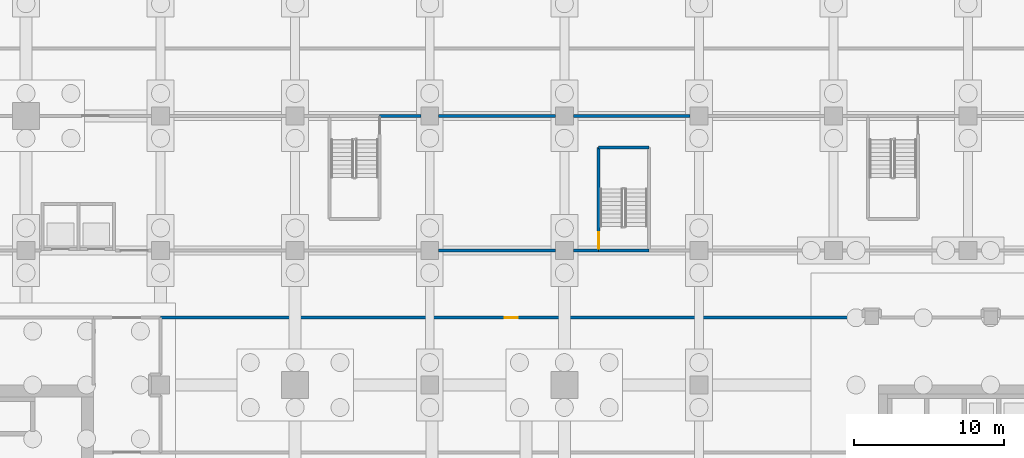
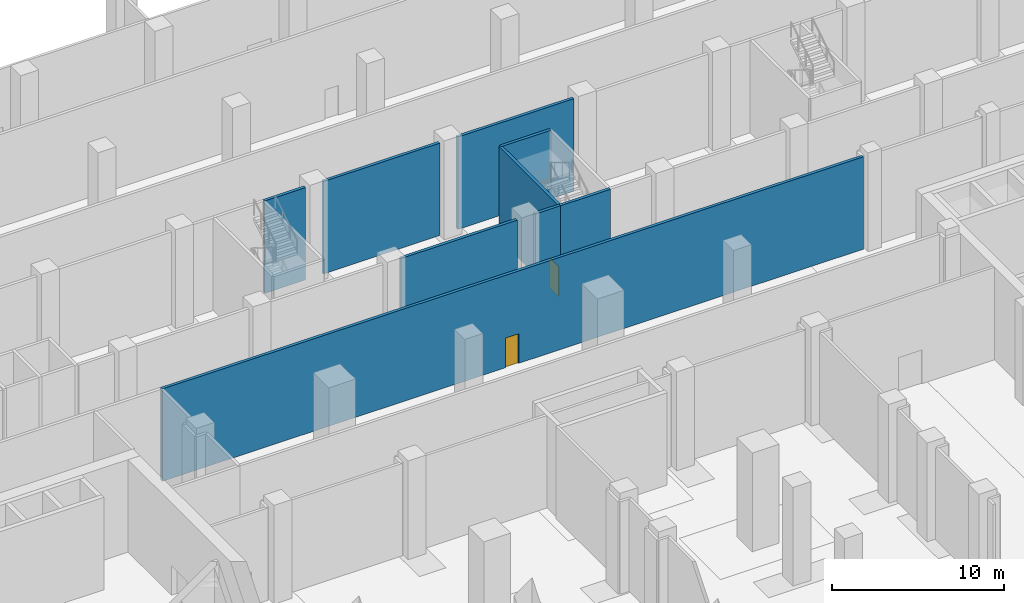
# One storey, part 10 of 23: 9 walls, 2 doors, 2 openings.
"""IFC4 building model written with IfcOpenShell, lengths in metres."""

import ifcopenshell
import ifcopenshell.guid

model = None  # the IFC model being written
_history = None  # IfcOwnerHistory: only IFC2X3 demands one
_inside = {}  # id of a spatial element -> (the spatial element, [elements in it])
_under = {}  # id of a project, library or spatial element -> (it, [spatial elements below it])
_declared = {}  # id of a project -> (the project, [libraries it declares])
_typed = {}  # id of a type object -> (the type object, [elements of that type])
_made_of = {}  # id of a material, layer set ... -> (it, [elements and type objects made of it])


def new_model(schema):
    """Start an empty IFC model of exactly this schema.

    Asked for "IFC4X3", IfcOpenShell would pick the latest addendum, in which some entities
    have other attributes; the version numbers below select the first issue.
    IFC2X3 requires an IfcOwnerHistory on every rooted entity: one is made here for all.
    """
    global model, _history
    if schema == "IFC4X3":
        model = ifcopenshell.file(schema_version=(4, 3, 0, 0))
    else:
        model = ifcopenshell.file(schema=schema)
    _inside.clear()
    _under.clear()
    _declared.clear()
    _typed.clear()
    _made_of.clear()
    _history = None
    if model.schema == "IFC2X3":
        org = make("IfcOrganization", Name="unknown")
        user = make(
            "IfcPersonAndOrganization",
            ThePerson=make("IfcPerson", FamilyName="unknown"),
            TheOrganization=org,
        )
        app = make(
            "IfcApplication",
            ApplicationDeveloper=org,
            Version="unknown",
            ApplicationFullName="unknown",
            ApplicationIdentifier="unknown",
        )
        _history = make(
            "IfcOwnerHistory",
            OwningUser=user,
            OwningApplication=app,
            ChangeAction="ADDED",
            CreationDate=0,
        )
    return model


def make(cls, **values):
    """One entity of the class cls with the attributes given. An attribute that is None is left unset."""
    return model.create_entity(
        cls, **{name: value for name, value in values.items() if value is not None}
    )


def rooted(cls, **values):
    """An entity with a GlobalId (a new one), such as an element, a storey or a relation."""
    return make(cls, GlobalId=ifcopenshell.guid.new(), OwnerHistory=_history, **values)


def si_unit(unit_type, name, prefix=None):
    """IfcSIUnit, for example si_unit("LENGTHUNIT", "METRE", prefix="MILLI")."""
    return make("IfcSIUnit", UnitType=unit_type, Prefix=prefix, Name=name)


def assignment(units):
    """IfcUnitAssignment: the units of a project."""
    return None if units is None else make("IfcUnitAssignment", Units=units)


def point(xyz):
    """IfcCartesianPoint."""
    return None if xyz is None else make("IfcCartesianPoint", Coordinates=xyz)


def direction(xyz):
    """IfcDirection."""
    return None if xyz is None else make("IfcDirection", DirectionRatios=xyz)


def frame(location, z_axis=None, x_axis=None):
    """IfcAxis2Placement3D, a coordinate frame: its origin and axes. An axis left out is left unset."""
    return make(
        "IfcAxis2Placement3D",
        Location=point(location),
        Axis=direction(z_axis),
        RefDirection=direction(x_axis),
    )


def frame_2d(location, x_axis=None):
    """IfcAxis2Placement2D, a coordinate frame in the plane: its origin and x axis."""
    return make(
        "IfcAxis2Placement2D", Location=point(location), RefDirection=direction(x_axis)
    )


def origin():
    """The frame at (0, 0, 0) with its axes left unset."""
    return frame((0.0, 0.0, 0.0))


def place(relative_to, where):
    """IfcLocalPlacement: puts the frame where relative to a parent placement (None: the world)."""
    return make(
        "IfcLocalPlacement", PlacementRelTo=relative_to, RelativePlacement=where
    )


def context(
    kind, dimensions, precision=None, world=None, true_north=None, identifier=None
):
    """IfcGeometricRepresentationContext, for example the 3D "Model" context."""
    return make(
        "IfcGeometricRepresentationContext",
        ContextIdentifier=identifier,
        ContextType=kind,
        CoordinateSpaceDimension=dimensions,
        Precision=precision,
        WorldCoordinateSystem=world,
        TrueNorth=true_north,
    )


def subcontext(parent, identifier, kind, view, scale=None):
    """IfcGeometricRepresentationSubContext, for example "Body" below "Model"."""
    return make(
        "IfcGeometricRepresentationSubContext",
        ContextIdentifier=identifier,
        ContextType=kind,
        ParentContext=parent,
        TargetScale=scale,
        TargetView=view,
    )


def project(units=None, contexts=None):
    """IfcProject with its units and contexts."""
    return rooted(
        "IfcProject",
        Name="project",
        RepresentationContexts=contexts,
        UnitsInContext=assignment(units),
    )


def spatial(cls, under=None, at=None, **own):
    """A site, building, storey or space (cls), placed at a placement, below another one or the project."""
    s = rooted(cls, ObjectPlacement=at, **own)
    if under is not None:
        _under.setdefault(under.id(), (under, []))[1].append(s)
    return s


def profile(cls, at=None, kind="AREA", **sizes):
    """A parametric profile (cls). Its sizes go by their IFC names, for example OverallWidth=200.0."""
    return make(cls, ProfileType=kind, Position=at, **sizes)


def rectangle(**sizes):
    """IfcRectangleProfileDef."""
    return profile("IfcRectangleProfileDef", **sizes)


def extrude(swept, where, along, depth):
    """IfcExtrudedAreaSolid: the profile swept, set in the frame where, extruded along a direction by depth."""
    return make(
        "IfcExtrudedAreaSolid",
        SweptArea=swept,
        Position=where,
        ExtrudedDirection=direction(along),
        Depth=depth,
    )


def shape(context_of_items, identifier, shape_type, items):
    """IfcShapeRepresentation: the items that make up one representation, for example the "Body"."""
    return make(
        "IfcShapeRepresentation",
        ContextOfItems=context_of_items,
        RepresentationIdentifier=identifier,
        RepresentationType=shape_type,
        Items=items,
    )


def material(Name=None, Category=None):
    """IfcMaterial."""
    return make("IfcMaterial", Name=Name, Category=Category)


def layer(
    of_material, thickness, ventilated=None, Name=None, Category=None, Priority=None
):
    """IfcMaterialLayer: one layer of a wall or slab, of a material (None: an air gap)."""
    return make(
        "IfcMaterialLayer",
        Material=of_material,
        LayerThickness=thickness,
        IsVentilated=ventilated,
        Name=Name,
        Category=Category,
        Priority=Priority,
    )


def layer_set(layers, Name=None):
    """IfcMaterialLayerSet."""
    return make("IfcMaterialLayerSet", MaterialLayers=layers, LayerSetName=Name)


def made_of(thing, what):
    """Note that an element or type object is made of a material, layer set ...; save() writes the relation."""
    if what is not None:
        _made_of.setdefault(what.id(), (what, []))[1].append(thing)
    return thing


def type_object(cls, material=None, **own):
    """A type object (cls), such as IfcWallType, which elements share."""
    return made_of(rooted(cls, **own), material)


def element(
    cls,
    number,
    at=None,
    inside=None,
    cuts=None,
    type_object=None,
    material=None,
    context=None,
    identifier="Body",
    shape_type=None,
    held_by="IfcProductDefinitionShape",
    body=None,
    shapes=None,
    **own,
):
    """One element of the class cls, such as IfcWall. Its Tag is "e" and its number.

    at: its placement. inside: the storey or other place that contains it. cuts: it is an
    opening in that element (IfcRelVoidsElement). A single representation is given by context,
    identifier, shape_type and body (its items); several are given by shapes. held_by: the class
    of the entity that holds the representations. save() writes the other relations.
    """
    e = rooted(cls, Tag="e%d" % number, ObjectPlacement=at, **own)
    if body is not None:
        shapes = [shape(context, identifier, shape_type, body)]
    if shapes is not None:
        e.Representation = make(held_by, Representations=shapes)
    if inside is not None:
        _inside.setdefault(inside.id(), (inside, []))[1].append(e)
    if cuts is not None:
        rooted(
            "IfcRelVoidsElement", RelatingBuildingElement=cuts, RelatedOpeningElement=e
        )
    if type_object is not None:
        _typed.setdefault(type_object.id(), (type_object, []))[1].append(e)
    return made_of(e, material)


def fill(opening, filler):
    """IfcRelFillsElement: the door or window that sits in an opening."""
    return rooted(
        "IfcRelFillsElement",
        RelatingOpeningElement=opening,
        RelatedBuildingElement=filler,
    )


def aggregate(whole, parts):
    """IfcRelAggregates: a whole, such as a stair, and the parts it consists of."""
    return rooted("IfcRelAggregates", RelatingObject=whole, RelatedObjects=parts)


def save(model, path):
    """Write the relations noted so far, then the file.

    IfcRelAggregates (storeys below a building ...), IfcRelContainedInSpatialStructure (elements
    in a storey), IfcRelDefinesByType, IfcRelAssociatesMaterial and IfcRelDeclares: one each for
    every whole, place, type object, material and project.
    """
    for whole, parts in _under.values():
        aggregate(whole, parts)
    for where, things in _inside.values():
        rooted(
            "IfcRelContainedInSpatialStructure",
            RelatedElements=things,
            RelatingStructure=where,
        )
    for kind, things in _typed.values():
        rooted("IfcRelDefinesByType", RelatedObjects=things, RelatingType=kind)
    for what, things in _made_of.values():
        rooted("IfcRelAssociatesMaterial", RelatedObjects=things, RelatingMaterial=what)
    for by, libraries in _declared.values():
        rooted("IfcRelDeclares", RelatingContext=by, RelatedDefinitions=libraries)
    model.write(path)


model = new_model("IFC4")

# Units and contexts
model_context = context("Model", 3, precision=1e-05, world=origin(), true_north=direction((0.0, 1.0)))
body_context = subcontext(model_context, "Body", "Model", "MODEL_VIEW")
ifc_project = project(units=[si_unit("LENGTHUNIT", "METRE"), si_unit("AREAUNIT", "SQUARE_METRE"), si_unit("VOLUMEUNIT", "CUBIC_METRE"), si_unit("PLANEANGLEUNIT", "RADIAN"), si_unit("MASSUNIT", "GRAM", prefix="KILO")], contexts=[model_context])

# Site, building, storey
site_placement = place(None, origin())
site = spatial("IfcSite", under=ifc_project, at=site_placement, CompositionType="ELEMENT")
building_placement = place(site_placement, origin())
building = spatial("IfcBuilding", under=site, at=building_placement, Name="Plateau Cross Towers", CompositionType="ELEMENT")
storey_placement = place(building_placement, frame((0.0, 0.0, -7.0)))
storey = spatial("IfcBuildingStorey", under=building, at=storey_placement, Name="B1", CompositionType="ELEMENT", Elevation=-7.0)

# Wall, opening, door
ifc_material_1 = material(Name="Gypsum board on steel studs, two layers each side", Category="steel")
ifc_layer_1 = layer(ifc_material_1, 0.199951171875)
ifc_layer_set_1 = layer_set([ifc_layer_1], Name="Gypsum board on steel studs, two layers each side")
wall_type_1 = type_object("IfcWallType", Name="Podium compartment wall 200", PredefinedType="PARTITIONING", material=ifc_layer_set_1)
wall_1_placement = place(storey_placement, frame((74.0, 22.5, 0.0), z_axis=(0.0, 0.0, 1.0), x_axis=(-1.0, 0.0, 0.0)))
wall_1 = element("IfcWall", 1, at=wall_1_placement, inside=storey, type_object=wall_type_1, Name="Partition wall", PredefinedType="PARTITIONING", context=body_context, shape_type="SweptSolid", body=[
    extrude(rectangle(XDim=47.0, YDim=0.199951171875, at=frame_2d((23.5, 0.0))), origin(), (0.0, 0.0, 1.0), 6.550048828125),
])
opening_1_placement = place(wall_1_placement, frame((23.10009765625, 0.0, 0.0)))
opening_1 = element("IfcOpeningElement", 2, at=opening_1_placement, cuts=wall_1, Name="Opening B1-08", PredefinedType="OPENING", context=body_context, shape_type="SweptSolid", body=[
    extrude(rectangle(XDim=0.89990234375, YDim=2.10009765625, at=frame_2d((0.449951171875, 1.050048828125))), frame((0.0, 0.10986328125, 0.0), z_axis=(0.0, -1.0, 0.0), x_axis=(1.0, 0.0, 0.0)), (0.0, 0.0, 1.0), 0.219970703125),
])
ifc_material_2 = material(Name="Timber, fire-resisting leaf", Category="wood")
door_type_1 = type_object("IfcDoorType", Name="Podium service door 900", OperationType="NOTDEFINED", PredefinedType="DOOR", material=ifc_material_2)
door_1_placement = place(opening_1_placement, origin())
door_1 = element("IfcDoor", 3, at=door_1_placement, inside=storey, type_object=door_type_1, Name="Door B1-08", OperationType="SINGLE_SWING_LEFT", OverallHeight=2.10009765625, OverallWidth=0.89990234375, PredefinedType="DOOR", context=body_context, shape_type="SweptSolid", body=[
    extrude(rectangle(XDim=0.89990234375, YDim=2.10009765625, at=frame_2d((0.449951171875, 1.050048828125))), frame((0.0, 0.02490234375, 0.0), z_axis=(0.0, -1.0, 0.0), x_axis=(1.0, 0.0, 0.0)), (0.0, 0.0, 1.0), 0.050048828125),
])
fill(opening_1, door_1)

# Walls
ifc_material_3 = material(Name="Gypsum board on steel studs", Category="steel")
ifc_layer_2 = layer(ifc_material_3, 0.199951171875)
ifc_layer_set_2 = layer_set([ifc_layer_2], Name="Gypsum board on steel studs")
wall_type_2 = type_object("IfcWallType", Name="Podium partition 200", PredefinedType="PARTITIONING", material=ifc_layer_set_2)
for number, where, z_axis, x_axis, name in (
    (4, (62.39990234375, 36.0, 0.0), (0.0, 0.0, 1.0), (-1.0, 0.0, 0.0), "Partition wall"),
    (5, (53.39990234375, 36.0, 0.0), (0.0, 0.0, 1.0), (-1.0, 0.0, 0.0), "Partition wall"),
):
    element("IfcWall", number, at=place(storey_placement, frame(where, z_axis=z_axis, x_axis=x_axis)), inside=storey, type_object=wall_type_2, Name=name, PredefinedType="PARTITIONING", context=body_context, shape_type="SweptSolid", body=[
        extrude(rectangle(XDim=7.7998046875, YDim=0.199951171875, at=frame_2d((3.89990234375, 0.0))), origin(), (0.0, 0.0, 1.0), 6.550048828125),
    ])
wall_2_placement = place(storey_placement, frame((44.39990234375, 36.0, 0.0), z_axis=(0.0, 0.0, 1.0), x_axis=(-1.0, 0.0, 0.0)))
element("IfcWall", 6, at=wall_2_placement, inside=storey, type_object=wall_type_2, Name="Partition wall", PredefinedType="PARTITIONING", context=body_context, shape_type="SweptSolid", body=[
    extrude(rectangle(XDim=2.75, YDim=0.199951171875, at=frame_2d((1.375, 0.0))), origin(), (0.0, 0.0, 1.0), 6.550048828125),
])
wall_3_placement = place(storey_placement, frame((45.60009765625, 27.0, 0.0), z_axis=(0.0, 0.0, 1.0), x_axis=(1.0, 0.0, 0.0)))
element("IfcWall", 7, at=wall_3_placement, inside=storey, type_object=wall_type_2, Name="Partition wall", PredefinedType="PARTITIONING", context=body_context, shape_type="SweptSolid", body=[
    extrude(rectangle(XDim=7.7998046875, YDim=0.199951171875, at=frame_2d((3.89990234375, 0.0))), origin(), (0.0, 0.0, 1.0), 6.550048828125),
])
wall_4_placement = place(storey_placement, frame((54.60009765625, 27.0, 0.0), z_axis=(0.0, 0.0, 1.0), x_axis=(1.0, 0.0, 0.0)))
element("IfcWall", 8, at=wall_4_placement, inside=storey, type_object=wall_type_2, Name="Partition wall", PredefinedType="PARTITIONING", context=body_context, shape_type="SweptSolid", body=[
    extrude(rectangle(XDim=1.699951171875, YDim=0.199951171875, at=frame_2d((0.85009765625, 0.0))), origin(), (0.0, 0.0, 1.0), 6.550048828125),
])

# Wall, opening, door
ifc_material_4 = material(Name="Fire-rated plasterboard shaft wall system")
ifc_layer_3 = layer(ifc_material_4, 0.199951171875)
ifc_layer_set_3 = layer_set([ifc_layer_3], Name="Fire-rated plasterboard shaft wall system")
wall_type_3 = type_object("IfcWallType", Name="Podium stair shaft wall 200", PredefinedType="PARTITIONING", material=ifc_layer_set_3)
wall_5_placement = place(storey_placement, frame((56.300048828125, 27.0, 0.0), z_axis=(0.0, 0.0, 1.0), x_axis=(0.0, 1.0, 0.0)))
wall_5 = element("IfcWall", 9, at=wall_5_placement, inside=storey, type_object=wall_type_3, Name="Partition wall", PredefinedType="PARTITIONING", context=body_context, shape_type="SweptSolid", body=[
    extrude(rectangle(XDim=6.89990234375, YDim=0.199951171875, at=frame_2d((3.449951171875, 0.0))), origin(), (0.0, 0.0, 1.0), 6.550048828125),
])
opening_2_placement = place(wall_5_placement, frame((0.10009765625, 0.0, 0.0)))
opening_2 = element("IfcOpeningElement", 10, at=opening_2_placement, cuts=wall_5, Name="Opening B1-03", PredefinedType="OPENING", context=body_context, shape_type="SweptSolid", body=[
    extrude(rectangle(XDim=1.10009765625, YDim=2.10009765625, at=frame_2d((0.550048828125, 1.050048828125))), frame((0.0, 0.10986328125, 0.0), z_axis=(0.0, -1.0, 0.0), x_axis=(1.0, 0.0, 0.0)), (0.0, 0.0, 1.0), 0.219970703125),
])
ifc_material_5 = material(Name="Steel, fire-resisting leaf", Category="steel")
door_type_2 = type_object("IfcDoorType", Name="Podium stair door 1100", OperationType="NOTDEFINED", PredefinedType="DOOR", material=ifc_material_5)
door_2_placement = place(opening_2_placement, origin())
door_2 = element("IfcDoor", 11, at=door_2_placement, inside=storey, type_object=door_type_2, Name="Door B1-03", OperationType="SINGLE_SWING_LEFT", OverallHeight=2.10009765625, OverallWidth=1.10009765625, PredefinedType="DOOR", context=body_context, shape_type="SweptSolid", body=[
    extrude(rectangle(XDim=1.10009765625, YDim=2.10009765625, at=frame_2d((0.550048828125, 1.050048828125))), frame((0.0, 0.02490234375, 0.0), z_axis=(0.0, -1.0, 0.0), x_axis=(1.0, 0.0, 0.0)), (0.0, 0.0, 1.0), 0.050048828125),
])
fill(opening_2, door_2)

# Walls
for number, where, z_axis, x_axis, name in (
    (12, (56.300048828125, 33.89990234375, 0.0), (0.0, 0.0, 1.0), (1.0, 0.0, 0.0), "Partition wall"),
    (13, (59.64990234375, 27.0, 0.0), (0.0, 0.0, 1.0), (-1.0, 0.0, 0.0), "Partition wall"),
):
    element("IfcWall", number, at=place(storey_placement, frame(where, z_axis=z_axis, x_axis=x_axis)), inside=storey, type_object=wall_type_3, Name=name, PredefinedType="PARTITIONING", context=body_context, shape_type="SweptSolid", body=[
        extrude(rectangle(XDim=3.349853515625, YDim=0.199951171875, at=frame_2d((1.6748046875, 0.0))), origin(), (0.0, 0.0, 1.0), 6.550048828125),
    ])

save(model, "model.ifc")
